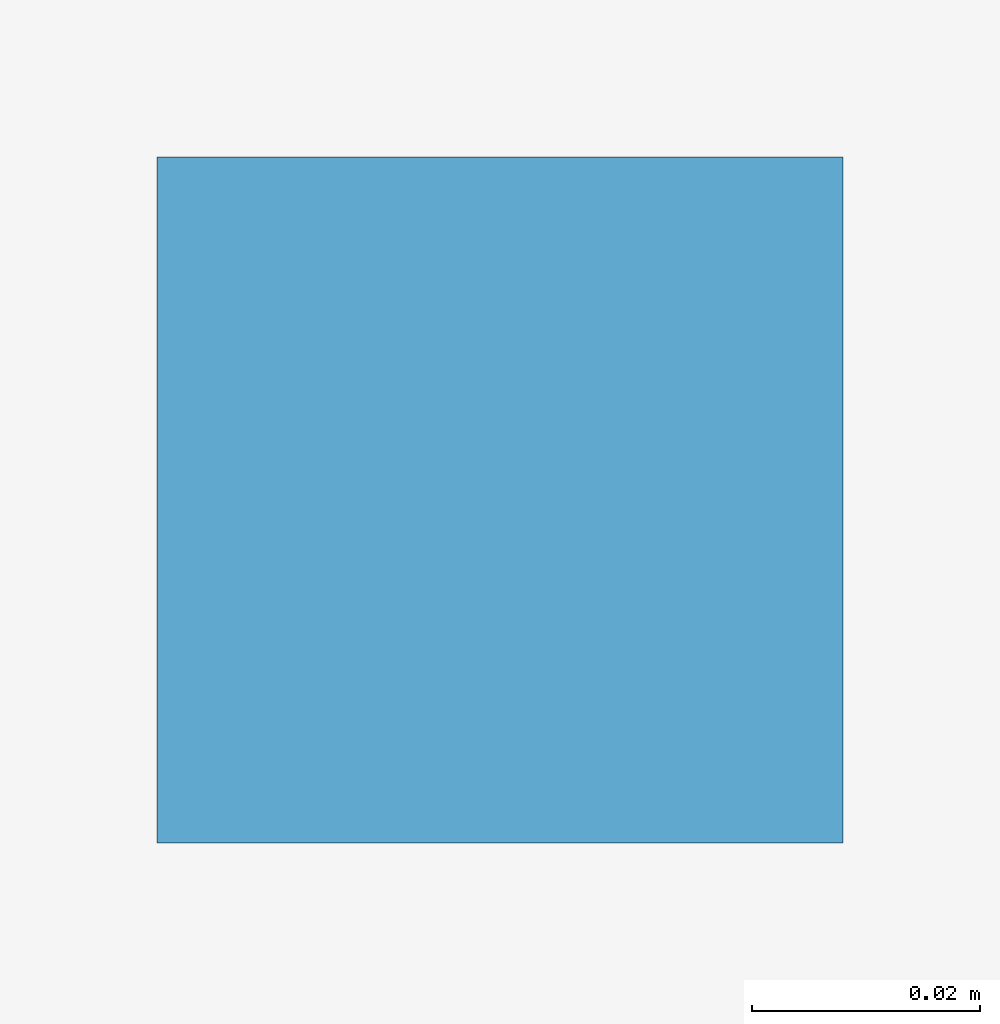
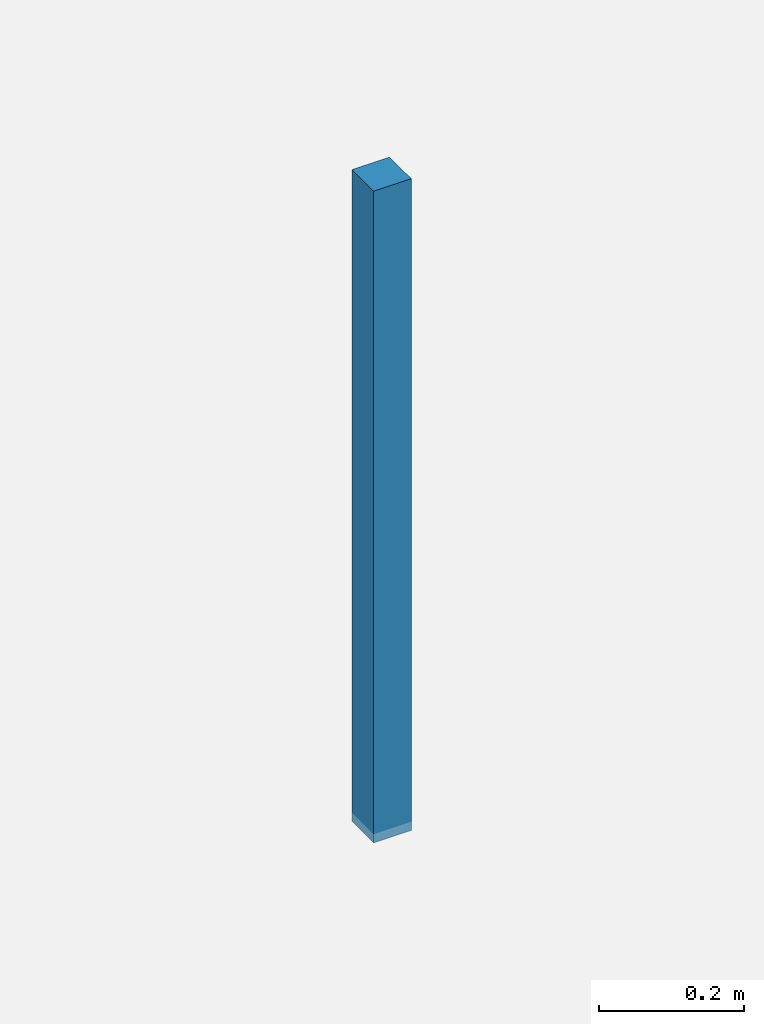
# One storey, part 63 of 77: 1 discrete accessory.
"""IFC4 building model written with IfcOpenShell, lengths in metres."""

from ifc_helpers import new_model, si_unit, direction, frame, origin, origin_2d, place, context, subcontext, project, spatial, rectangle, extrude, material, type_object, element, save


model = new_model("IFC4")

# Units and contexts
model_context = context("Model", 3, precision=1e-05, world=origin(), true_north=direction((0.0, 1.0)))
body_context = subcontext(model_context, "Body", "Model", "MODEL_VIEW")
ifc_project = project(units=[si_unit("LENGTHUNIT", "METRE"), si_unit("AREAUNIT", "SQUARE_METRE"), si_unit("VOLUMEUNIT", "CUBIC_METRE"), si_unit("PLANEANGLEUNIT", "RADIAN"), si_unit("MASSUNIT", "GRAM", prefix="KILO")], contexts=[model_context])

# Site, building, storey
site_placement = place(None, origin())
site = spatial("IfcSite", under=ifc_project, at=site_placement, CompositionType="ELEMENT")
building_placement = place(site_placement, origin())
building = spatial("IfcBuilding", under=site, at=building_placement, Name="Kangsadwip Square Police Headquarters", CompositionType="ELEMENT")
storey_placement = place(building_placement, frame((0.0, 0.0, 17.550048828125)))
storey = spatial("IfcBuildingStorey", under=building, at=storey_placement, Name="L04", CompositionType="ELEMENT", Elevation=17.550048828125)

# Discrete accessory
ifc_material = material(Name="Structural steel IS 2062 E350 (Grade 350, 350 MPa)", Category="steel")
discrete_accessory_type = type_object("IfcDiscreteAccessoryType", Name="VeilOutriggerBracket", PredefinedType="BRACKET", material=ifc_material)
discrete_accessory_placement = place(storey_placement, frame((3.64990234375, 82.800048828125, 2.809814453125), z_axis=(0.0, 0.0, 1.0), x_axis=(1.0, 0.0, 0.0)))
element("IfcDiscreteAccessory", 1, at=discrete_accessory_placement, inside=storey, type_object=discrete_accessory_type, Name="Ceiling Suspension Hanger L04-123", PredefinedType="BRACKET", context=body_context, shape_type="SweptSolid", body=[
    extrude(rectangle(XDim=0.06005859375, YDim=0.06005859375, at=origin_2d()), origin(), (0.0, 0.0, 1.0), 1.10009765625),
])

save(model, "model.ifc")
